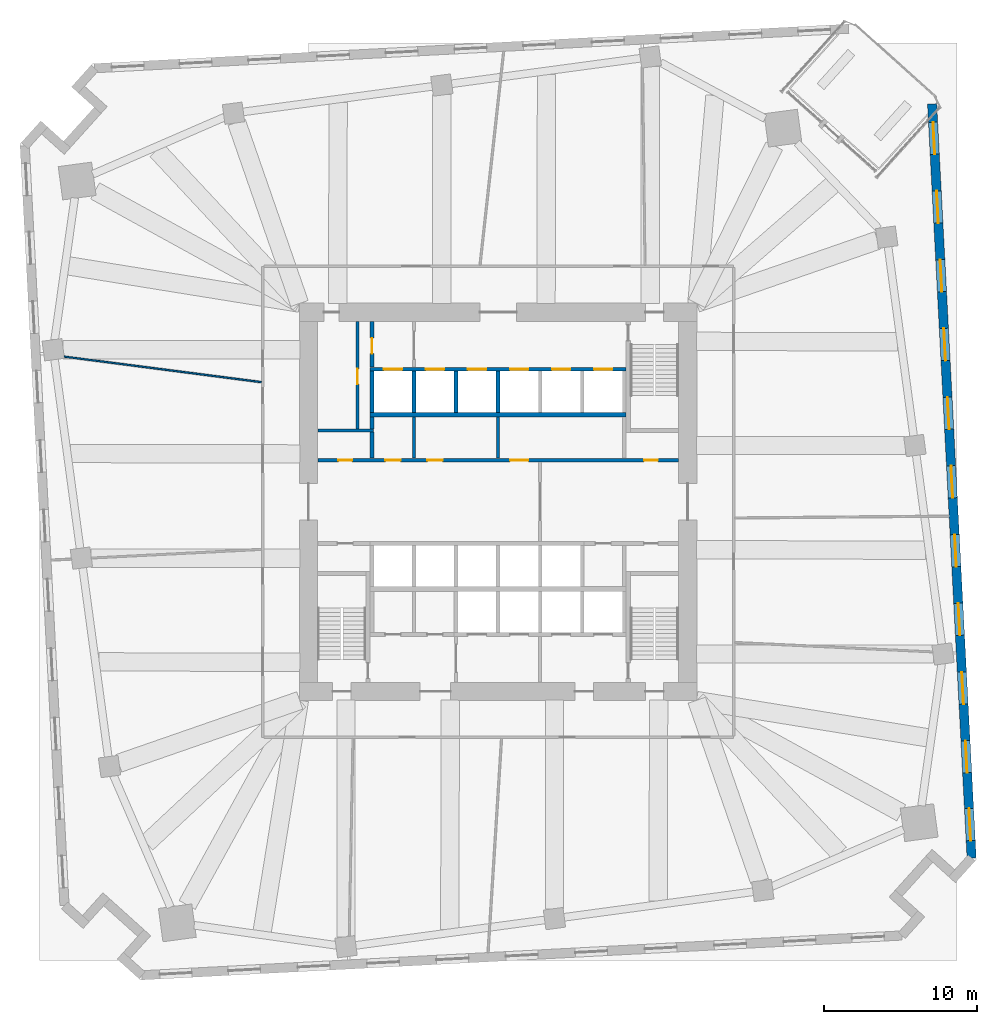
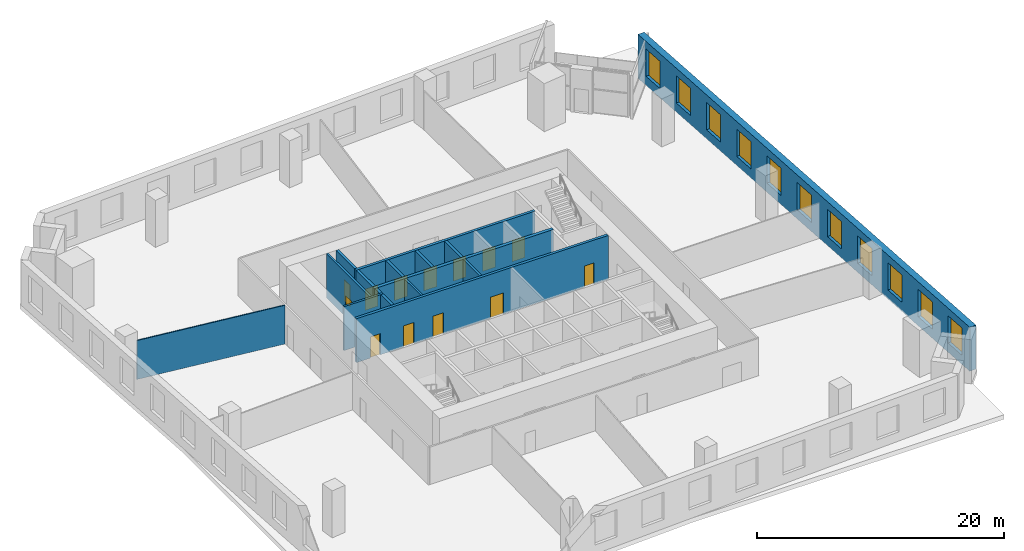
# One storey, part 6 of 10: 16 walls, 13 doors, 11 windows, 24 openings.
"""IFC4 building model written with IfcOpenShell, lengths in metres."""

from ifc_helpers import new_model, si_unit, direction, frame, frame_2d, origin, place, context, subcontext, project, spatial, rectangle, extrude, material, layer, layer_set, type_object, element, fill, save


model = new_model("IFC4")

# Units and contexts
model_context = context("Model", 3, precision=1e-05, world=origin(), true_north=direction((0.0, 1.0)))
body_context = subcontext(model_context, "Body", "Model", "MODEL_VIEW")
ifc_project = project(units=[si_unit("LENGTHUNIT", "METRE"), si_unit("AREAUNIT", "SQUARE_METRE"), si_unit("VOLUMEUNIT", "CUBIC_METRE"), si_unit("PLANEANGLEUNIT", "RADIAN"), si_unit("MASSUNIT", "GRAM", prefix="KILO")], contexts=[model_context])

# Site, building, storey
site_placement = place(None, origin())
site = spatial("IfcSite", under=ifc_project, at=site_placement, CompositionType="ELEMENT")
building_placement = place(site_placement, origin())
building = spatial("IfcBuilding", under=site, at=building_placement, Name="Dilmun Exchange Tower", CompositionType="ELEMENT")
storey_placement = place(building_placement, frame((0.0, 0.0, 22.5)))
storey = spatial("IfcBuildingStorey", under=building, at=storey_placement, Name="L05", CompositionType="ELEMENT", Elevation=22.5)

# Walls
ifc_material_1 = material(Name="Concrete C40/50", Category="concrete")
ifc_layer_1 = layer(ifc_material_1, 0.199951171875)
ifc_layer_set_1 = layer_set([ifc_layer_1], Name="Concrete C40/50")
wall_type_1 = type_object("IfcWallType", Name="Core partition wall 200", PredefinedType="PARTITIONING", material=ifc_layer_set_1)
for number, where, z_axis, x_axis, name in (
    (1, (-5.5, 2.85498046875, 0.0), (0.0, 0.0, 1.0), (0.0, 1.0, 0.0), "L05 core partition wall 12"),
    (2, (0.0, 2.85498046875, 0.0), (0.0, 0.0, 1.0), (0.0, 1.0, 0.0), "L05 core partition wall 13"),
):
    element("IfcWall", number, at=place(storey_placement, frame(where, z_axis=z_axis, x_axis=x_axis)), inside=storey, type_object=wall_type_1, Name=name, PredefinedType="PARTITIONING", context=body_context, shape_type="SweptSolid", body=[
        extrude(rectangle(XDim=2.68994140625, YDim=0.199951171875, at=frame_2d((1.344970703125, 0.0))), origin(), (0.0, 0.0, 1.0), 4.35009765625),
    ])
wall_1_placement = place(storey_placement, frame((-11.794921875, 4.675048828125, 0.0), z_axis=(0.0, 0.0, 1.0), x_axis=(1.0, 0.0, 0.0)))
element("IfcWall", 3, at=wall_1_placement, inside=storey, type_object=wall_type_1, Name="L05 core partition wall 15", PredefinedType="PARTITIONING", context=body_context, shape_type="SweptSolid", body=[
    extrude(rectangle(XDim=3.64501953125, YDim=0.199951171875, at=frame_2d((1.822509765625, 0.0))), origin(), (0.0, 0.0, 1.0), 4.35009765625),
])

# Wall, opening, door
wall_2_placement = place(storey_placement, frame((-9.199951171875, 4.780029296875, 0.0), z_axis=(0.0, 0.0, 1.0), x_axis=(0.0, 1.0, 0.0)))
wall_2 = element("IfcWall", 4, at=wall_2_placement, inside=storey, type_object=wall_type_1, Name="L05 core partition wall 16", PredefinedType="PARTITIONING", context=body_context, shape_type="SweptSolid", body=[
    extrude(rectangle(XDim=7.014892578125, YDim=0.199951171875, at=frame_2d((3.50732421875, 0.0))), origin(), (0.0, 0.0, 1.0), 4.35009765625),
])
opening_1_placement = place(wall_2_placement, frame((2.919921875, 0.0, 0.0)))
opening_1 = element("IfcOpeningElement", 5, at=opening_1_placement, cuts=wall_2, Name="Opening CD4", PredefinedType="OPENING", context=body_context, shape_type="SweptSolid", body=[
    extrude(rectangle(XDim=1.0, YDim=2.10009765625, at=frame_2d((0.5, 1.050048828125))), frame((0.0, 0.10986328125, 0.0), z_axis=(0.0, -1.0, 0.0), x_axis=(1.0, 0.0, 0.0)), (0.0, 0.0, 1.0), 0.219970703125),
])
ifc_material_2 = material(Name="Fire-rated steel door set", Category="steel")
door_type_1 = type_object("IfcDoorType", Name="Core room door 1000x2100", OperationType="SINGLE_SWING_LEFT", PredefinedType="DOOR", material=ifc_material_2)
door_1_placement = place(opening_1_placement, origin())
door_1 = element("IfcDoor", 6, at=door_1_placement, inside=storey, type_object=door_type_1, Name="L05 door Fire safety store", OperationType="SINGLE_SWING_RIGHT", OverallHeight=2.10009765625, OverallWidth=1.0, PredefinedType="DOOR", context=body_context, shape_type="SweptSolid", body=[
    extrude(rectangle(XDim=1.0, YDim=2.10009765625, at=frame_2d((0.5, 1.050048828125))), frame((0.0, 0.02490234375, 0.0), z_axis=(0.0, -1.0, 0.0), x_axis=(1.0, 0.0, 0.0)), (0.0, 0.0, 1.0), 0.050048828125),
])
fill(opening_1, door_1)

# Wall, openings, doors
ifc_layer_2 = layer(ifc_material_1, 0.25)
ifc_layer_set_2 = layer_set([ifc_layer_2], Name="Concrete C40/50")
wall_type_2 = type_object("IfcWallType", Name="Core partition wall 250", PredefinedType="PARTITIONING", material=ifc_layer_set_2)
wall_3_placement = place(storey_placement, frame((-11.794921875, 2.72509765625, 0.0), z_axis=(0.0, 0.0, 1.0), x_axis=(1.0, 0.0, 0.0)))
wall_3 = element("IfcWall", 7, at=wall_3_placement, inside=storey, type_object=wall_type_2, Name="L05 core partition wall 10", PredefinedType="PARTITIONING", context=body_context, shape_type="SweptSolid", body=[
    extrude(rectangle(XDim=23.58984375, YDim=0.25, at=frame_2d((11.794921875, 0.0))), origin(), (0.0, 0.0, 1.0), 4.35009765625),
])
opening_2_placement = place(wall_3_placement, frame((21.344970703125, 0.0, 0.0)))
opening_2 = element("IfcOpeningElement", 8, at=opening_2_placement, cuts=wall_3, Name="Opening CD6", PredefinedType="OPENING", context=body_context, shape_type="SweptSolid", body=[
    extrude(rectangle(XDim=0.89990234375, YDim=2.10009765625, at=frame_2d((0.449951171875, 1.050048828125))), frame((0.0, 0.135009765625, 0.0), z_axis=(0.0, -1.0, 0.0), x_axis=(1.0, 0.0, 0.0)), (0.0, 0.0, 1.0), 0.27001953125),
])
opening_3_placement = place(wall_3_placement, frame((1.344970703125, 0.0, 0.0)))
opening_3 = element("IfcOpeningElement", 9, at=opening_3_placement, cuts=wall_3, Name="Opening CD6", PredefinedType="OPENING", context=body_context, shape_type="SweptSolid", body=[
    extrude(rectangle(XDim=0.89990234375, YDim=2.10009765625, at=frame_2d((0.449951171875, 1.050048828125))), frame((0.0, 0.135009765625, 0.0), z_axis=(0.0, -1.0, 0.0), x_axis=(1.0, 0.0, 0.0)), (0.0, 0.0, 1.0), 0.27001953125),
])
opening_4_placement = place(wall_3_placement, frame((4.419921875, 0.0, 0.0)))
opening_4 = element("IfcOpeningElement", 10, at=opening_4_placement, cuts=wall_3, Name="Opening CD4", PredefinedType="OPENING", context=body_context, shape_type="SweptSolid", body=[
    extrude(rectangle(XDim=1.0, YDim=2.10009765625, at=frame_2d((0.5, 1.050048828125))), frame((0.0, 0.135009765625, 0.0), z_axis=(0.0, -1.0, 0.0), x_axis=(1.0, 0.0, 0.0)), (0.0, 0.0, 1.0), 0.27001953125),
])
opening_5_placement = place(wall_3_placement, frame((7.169921875, 0.0, 0.0)))
opening_5 = element("IfcOpeningElement", 11, at=opening_5_placement, cuts=wall_3, Name="Opening CD4", PredefinedType="OPENING", context=body_context, shape_type="SweptSolid", body=[
    extrude(rectangle(XDim=1.0, YDim=2.10009765625, at=frame_2d((0.5, 1.050048828125))), frame((0.0, 0.135009765625, 0.0), z_axis=(0.0, -1.0, 0.0), x_axis=(1.0, 0.0, 0.0)), (0.0, 0.0, 1.0), 0.27001953125),
])
opening_6_placement = place(wall_3_placement, frame((12.570068359375, 0.0, 0.0)))
opening_6 = element("IfcOpeningElement", 12, at=opening_6_placement, cuts=wall_3, Name="Opening CD3", PredefinedType="OPENING", context=body_context, shape_type="SweptSolid", body=[
    extrude(rectangle(XDim=1.199951171875, YDim=2.10009765625, at=frame_2d((0.60009765625, 1.050048828125))), frame((0.0, 0.135009765625, 0.0), z_axis=(0.0, -1.0, 0.0), x_axis=(1.0, 0.0, 0.0)), (0.0, 0.0, 1.0), 0.27001953125),
])
door_2_placement = place(opening_4_placement, origin())
door_2 = element("IfcDoor", 13, at=door_2_placement, inside=storey, type_object=door_type_1, Name="L05 door Electrical room", OperationType="SINGLE_SWING_RIGHT", OverallHeight=2.10009765625, OverallWidth=1.0, PredefinedType="DOOR", context=body_context, shape_type="SweptSolid", body=[
    extrude(rectangle(XDim=1.0, YDim=2.10009765625, at=frame_2d((0.5, 1.050048828125))), frame((0.0, 0.02490234375, 0.0), z_axis=(0.0, -1.0, 0.0), x_axis=(1.0, 0.0, 0.0)), (0.0, 0.0, 1.0), 0.050048828125),
])
fill(opening_4, door_2)
door_3_placement = place(opening_5_placement, origin())
door_3 = element("IfcDoor", 14, at=door_3_placement, inside=storey, type_object=door_type_1, Name="L05 door Switch room", OperationType="SINGLE_SWING_RIGHT", OverallHeight=2.10009765625, OverallWidth=1.0, PredefinedType="DOOR", context=body_context, shape_type="SweptSolid", body=[
    extrude(rectangle(XDim=1.0, YDim=2.10009765625, at=frame_2d((0.5, 1.050048828125))), frame((0.0, 0.02490234375, 0.0), z_axis=(0.0, -1.0, 0.0), x_axis=(1.0, 0.0, 0.0)), (0.0, 0.0, 1.0), 0.050048828125),
])
fill(opening_5, door_3)
door_type_2 = type_object("IfcDoorType", Name="Core room door 900x2100", OperationType="SINGLE_SWING_LEFT", PredefinedType="DOOR", material=ifc_material_2)
door_4_placement = place(opening_2_placement, origin())
door_4 = element("IfcDoor", 15, at=door_4_placement, inside=storey, type_object=door_type_2, Name="L05 door Electrical riser", OperationType="SINGLE_SWING_RIGHT", OverallHeight=2.10009765625, OverallWidth=0.89990234375, PredefinedType="DOOR", context=body_context, shape_type="SweptSolid", body=[
    extrude(rectangle(XDim=0.89990234375, YDim=2.10009765625, at=frame_2d((0.449951171875, 1.050048828125))), frame((0.0, 0.02490234375, 0.0), z_axis=(0.0, -1.0, 0.0), x_axis=(1.0, 0.0, 0.0)), (0.0, 0.0, 1.0), 0.050048828125),
])
fill(opening_2, door_4)
door_5_placement = place(opening_3_placement, origin())
door_5 = element("IfcDoor", 16, at=door_5_placement, inside=storey, type_object=door_type_2, Name="L05 door Plumbing riser", OperationType="SINGLE_SWING_RIGHT", OverallHeight=2.10009765625, OverallWidth=0.89990234375, PredefinedType="DOOR", context=body_context, shape_type="SweptSolid", body=[
    extrude(rectangle(XDim=0.89990234375, YDim=2.10009765625, at=frame_2d((0.449951171875, 1.050048828125))), frame((0.0, 0.02490234375, 0.0), z_axis=(0.0, -1.0, 0.0), x_axis=(1.0, 0.0, 0.0)), (0.0, 0.0, 1.0), 0.050048828125),
])
fill(opening_3, door_5)
door_type_3 = type_object("IfcDoorType", Name="Stair exit door 1200x2100", OperationType="SINGLE_SWING_LEFT", PredefinedType="DOOR", material=ifc_material_2)
door_6_placement = place(opening_6_placement, origin())
door_6 = element("IfcDoor", 17, at=door_6_placement, inside=storey, type_object=door_type_3, Name="L05 door Quiet working room", OperationType="SINGLE_SWING_LEFT", OverallHeight=2.10009765625, OverallWidth=1.199951171875, PredefinedType="DOOR", context=body_context, shape_type="SweptSolid", body=[
    extrude(rectangle(XDim=1.199951171875, YDim=2.10009765625, at=frame_2d((0.60009765625, 1.050048828125))), frame((0.0, 0.02490234375, 0.0), z_axis=(0.0, -1.0, 0.0), x_axis=(1.0, 0.0, 0.0)), (0.0, 0.0, 1.0), 0.050048828125),
])
fill(opening_6, door_6)

# Walls
wall_4_placement = place(storey_placement, frame((-8.25, 2.85498046875, 0.0), z_axis=(0.0, 0.0, 1.0), x_axis=(0.0, 1.0, 0.0)))
element("IfcWall", 18, at=wall_4_placement, inside=storey, type_object=wall_type_2, Name="L05 core partition wall 11", PredefinedType="PARTITIONING", context=body_context, shape_type="SweptSolid", body=[
    extrude(rectangle(XDim=1.715087890625, YDim=0.25, at=frame_2d((0.857421875, 0.0))), origin(), (0.0, 0.0, 1.0), 4.35009765625),
])
wall_5_placement = place(storey_placement, frame((-8.25, 4.780029296875, 0.0), z_axis=(0.0, 0.0, 1.0), x_axis=(0.0, 1.0, 0.0)))
element("IfcWall", 19, at=wall_5_placement, inside=storey, type_object=wall_type_2, Name="L05 core partition wall 17", PredefinedType="PARTITIONING", context=body_context, shape_type="SweptSolid", body=[
    extrude(rectangle(XDim=0.764892578125, YDim=0.25, at=frame_2d((0.38232421875, 0.0))), origin(), (0.0, 0.0, 1.0), 4.35009765625),
])

# Wall, opening, door
wall_6_placement = place(storey_placement, frame((-8.25, 8.804931640625, 0.0), z_axis=(0.0, 0.0, 1.0), x_axis=(0.0, 1.0, 0.0)))
wall_6 = element("IfcWall", 20, at=wall_6_placement, inside=storey, type_object=wall_type_2, Name="L05 core partition wall 18", PredefinedType="PARTITIONING", context=body_context, shape_type="SweptSolid", body=[
    extrude(rectangle(XDim=2.989990234375, YDim=0.25, at=frame_2d((1.4951171875, 0.0))), origin(), (0.0, 0.0, 1.0), 4.35009765625),
])
opening_7_placement = place(wall_6_placement, frame((0.89501953125, 0.0, 0.0)))
opening_7 = element("IfcOpeningElement", 21, at=opening_7_placement, cuts=wall_6, Name="Opening CD4", PredefinedType="OPENING", context=body_context, shape_type="SweptSolid", body=[
    extrude(rectangle(XDim=1.0, YDim=2.10009765625, at=frame_2d((0.5, 1.050048828125))), frame((0.0, 0.135009765625, 0.0), z_axis=(0.0, -1.0, 0.0), x_axis=(1.0, 0.0, 0.0)), (0.0, 0.0, 1.0), 0.27001953125),
])
door_7_placement = place(opening_7_placement, origin())
door_7 = element("IfcDoor", 22, at=door_7_placement, inside=storey, type_object=door_type_1, Name="L05 door Tenant services room", OperationType="SINGLE_SWING_RIGHT", OverallHeight=2.10009765625, OverallWidth=1.0, PredefinedType="DOOR", context=body_context, shape_type="SweptSolid", body=[
    extrude(rectangle(XDim=1.0, YDim=2.10009765625, at=frame_2d((0.5, 1.050048828125))), frame((0.0, 0.02490234375, 0.0), z_axis=(0.0, -1.0, 0.0), x_axis=(1.0, 0.0, 0.0)), (0.0, 0.0, 1.0), 0.050048828125),
])
fill(opening_7, door_7)

# Wall
ifc_layer_3 = layer(ifc_material_1, 0.300048828125)
ifc_layer_set_3 = layer_set([ifc_layer_3], Name="Concrete C40/50")
wall_type_3 = type_object("IfcWallType", Name="Lift shaft shared wall 300", PredefinedType="SOLIDWALL", material=ifc_layer_set_3)
wall_7_placement = place(storey_placement, frame((-8.375, 5.699951171875, 0.0), z_axis=(0.0, 0.0, 1.0), x_axis=(1.0, 0.0, 0.0)))
element("IfcWall", 23, at=wall_7_placement, inside=storey, type_object=wall_type_3, Name="L05 lift shaft rear wall N", PredefinedType="SOLIDWALL", context=body_context, shape_type="SweptSolid", body=[
    extrude(rectangle(XDim=16.75, YDim=0.300048828125, at=frame_2d((8.375, 0.0))), origin(), (0.0, 0.0, 1.0), 4.35009765625),
])

# Wall, openings, doors
ifc_layer_4 = layer(ifc_material_1, 0.25)
ifc_layer_set_4 = layer_set([ifc_layer_4], Name="Concrete C40/50")
wall_type_4 = type_object("IfcWallType", Name="Lift shaft wall 250", PredefinedType="SOLIDWALL", material=ifc_layer_set_4)
wall_8_placement = place(storey_placement, frame((-8.375, 8.675048828125, 0.0), z_axis=(0.0, 0.0, 1.0), x_axis=(1.0, 0.0, 0.0)))
wall_8 = element("IfcWall", 24, at=wall_8_placement, inside=storey, type_object=wall_type_4, Name="L05 lift shaft front wall N2", PredefinedType="SOLIDWALL", context=body_context, shape_type="SweptSolid", body=[
    extrude(rectangle(XDim=16.75, YDim=0.25, at=frame_2d((8.375, 0.0))), origin(), (0.0, 0.0, 1.0), 4.35009765625),
])
opening_8_placement = place(wall_8_placement, frame((0.89990234375, 0.0, 0.0)))
opening_8 = element("IfcOpeningElement", 25, at=opening_8_placement, cuts=wall_8, Name="Opening LD", PredefinedType="OPENING", context=body_context, shape_type="SweptSolid", body=[
    extrude(rectangle(XDim=1.199951171875, YDim=2.10009765625, at=frame_2d((0.60009765625, 1.050048828125))), frame((0.0, 0.135009765625, 0.0), z_axis=(0.0, -1.0, 0.0), x_axis=(1.0, 0.0, 0.0)), (0.0, 0.0, 1.0), 0.27001953125),
])
opening_9_placement = place(wall_8_placement, frame((3.64990234375, 0.0, 0.0)))
opening_9 = element("IfcOpeningElement", 26, at=opening_9_placement, cuts=wall_8, Name="Opening LD", PredefinedType="OPENING", context=body_context, shape_type="SweptSolid", body=[
    extrude(rectangle(XDim=1.199951171875, YDim=2.10009765625, at=frame_2d((0.60009765625, 1.050048828125))), frame((0.0, 0.135009765625, 0.0), z_axis=(0.0, -1.0, 0.0), x_axis=(1.0, 0.0, 0.0)), (0.0, 0.0, 1.0), 0.27001953125),
])
opening_10_placement = place(wall_8_placement, frame((6.39990234375, 0.0, 0.0)))
opening_10 = element("IfcOpeningElement", 27, at=opening_10_placement, cuts=wall_8, Name="Opening LD", PredefinedType="OPENING", context=body_context, shape_type="SweptSolid", body=[
    extrude(rectangle(XDim=1.199951171875, YDim=2.10009765625, at=frame_2d((0.60009765625, 1.050048828125))), frame((0.0, 0.135009765625, 0.0), z_axis=(0.0, -1.0, 0.0), x_axis=(1.0, 0.0, 0.0)), (0.0, 0.0, 1.0), 0.27001953125),
])
opening_11_placement = place(wall_8_placement, frame((9.14990234375, 0.0, 0.0)))
opening_11 = element("IfcOpeningElement", 28, at=opening_11_placement, cuts=wall_8, Name="Opening LD", PredefinedType="OPENING", context=body_context, shape_type="SweptSolid", body=[
    extrude(rectangle(XDim=1.199951171875, YDim=2.10009765625, at=frame_2d((0.60009765625, 1.050048828125))), frame((0.0, 0.135009765625, 0.0), z_axis=(0.0, -1.0, 0.0), x_axis=(1.0, 0.0, 0.0)), (0.0, 0.0, 1.0), 0.27001953125),
])
opening_12_placement = place(wall_8_placement, frame((11.89990234375, 0.0, 0.0)))
opening_12 = element("IfcOpeningElement", 29, at=opening_12_placement, cuts=wall_8, Name="Opening LD", PredefinedType="OPENING", context=body_context, shape_type="SweptSolid", body=[
    extrude(rectangle(XDim=1.199951171875, YDim=2.10009765625, at=frame_2d((0.60009765625, 1.050048828125))), frame((0.0, 0.135009765625, 0.0), z_axis=(0.0, -1.0, 0.0), x_axis=(1.0, 0.0, 0.0)), (0.0, 0.0, 1.0), 0.27001953125),
])
opening_13_placement = place(wall_8_placement, frame((14.64990234375, 0.0, 0.0)))
opening_13 = element("IfcOpeningElement", 30, at=opening_13_placement, cuts=wall_8, Name="Opening LD", PredefinedType="OPENING", context=body_context, shape_type="SweptSolid", body=[
    extrude(rectangle(XDim=1.199951171875, YDim=2.10009765625, at=frame_2d((0.60009765625, 1.050048828125))), frame((0.0, 0.135009765625, 0.0), z_axis=(0.0, -1.0, 0.0), x_axis=(1.0, 0.0, 0.0)), (0.0, 0.0, 1.0), 0.27001953125),
])
door_type_4 = type_object("IfcDoorType", Name="Lift landing door 1200x2100", OperationType="DOUBLE_DOOR_SLIDING", PredefinedType="DOOR", material=ifc_material_2)
door_8_placement = place(opening_8_placement, origin())
door_8 = element("IfcDoor", 31, at=door_8_placement, inside=storey, type_object=door_type_4, Name="L05 landing door LR1", OperationType="DOUBLE_DOOR_SLIDING", OverallHeight=2.10009765625, OverallWidth=1.199951171875, PredefinedType="DOOR", context=body_context, shape_type="SweptSolid", body=[
    extrude(rectangle(XDim=1.199951171875, YDim=2.10009765625, at=frame_2d((0.60009765625, 1.050048828125))), frame((0.0, 0.02490234375, 0.0), z_axis=(0.0, -1.0, 0.0), x_axis=(1.0, 0.0, 0.0)), (0.0, 0.0, 1.0), 0.050048828125),
])
fill(opening_8, door_8)
door_9_placement = place(opening_9_placement, origin())
door_9 = element("IfcDoor", 32, at=door_9_placement, inside=storey, type_object=door_type_4, Name="L05 landing door LR2", OperationType="DOUBLE_DOOR_SLIDING", OverallHeight=2.10009765625, OverallWidth=1.199951171875, PredefinedType="DOOR", context=body_context, shape_type="SweptSolid", body=[
    extrude(rectangle(XDim=1.199951171875, YDim=2.10009765625, at=frame_2d((0.60009765625, 1.050048828125))), frame((0.0, 0.02490234375, 0.0), z_axis=(0.0, -1.0, 0.0), x_axis=(1.0, 0.0, 0.0)), (0.0, 0.0, 1.0), 0.050048828125),
])
fill(opening_9, door_9)
door_10_placement = place(opening_10_placement, origin())
door_10 = element("IfcDoor", 33, at=door_10_placement, inside=storey, type_object=door_type_4, Name="L05 landing door LR3", OperationType="DOUBLE_DOOR_SLIDING", OverallHeight=2.10009765625, OverallWidth=1.199951171875, PredefinedType="DOOR", context=body_context, shape_type="SweptSolid", body=[
    extrude(rectangle(XDim=1.199951171875, YDim=2.10009765625, at=frame_2d((0.60009765625, 1.050048828125))), frame((0.0, 0.02490234375, 0.0), z_axis=(0.0, -1.0, 0.0), x_axis=(1.0, 0.0, 0.0)), (0.0, 0.0, 1.0), 0.050048828125),
])
fill(opening_10, door_10)
door_11_placement = place(opening_11_placement, origin())
door_11 = element("IfcDoor", 34, at=door_11_placement, inside=storey, type_object=door_type_4, Name="L05 landing door LR4", OperationType="DOUBLE_DOOR_SLIDING", OverallHeight=2.10009765625, OverallWidth=1.199951171875, PredefinedType="DOOR", context=body_context, shape_type="SweptSolid", body=[
    extrude(rectangle(XDim=1.199951171875, YDim=2.10009765625, at=frame_2d((0.60009765625, 1.050048828125))), frame((0.0, 0.02490234375, 0.0), z_axis=(0.0, -1.0, 0.0), x_axis=(1.0, 0.0, 0.0)), (0.0, 0.0, 1.0), 0.050048828125),
])
fill(opening_11, door_11)
door_12_placement = place(opening_12_placement, origin())
door_12 = element("IfcDoor", 35, at=door_12_placement, inside=storey, type_object=door_type_4, Name="L05 landing door LR5", OperationType="DOUBLE_DOOR_SLIDING", OverallHeight=2.10009765625, OverallWidth=1.199951171875, PredefinedType="DOOR", context=body_context, shape_type="SweptSolid", body=[
    extrude(rectangle(XDim=1.199951171875, YDim=2.10009765625, at=frame_2d((0.60009765625, 1.050048828125))), frame((0.0, 0.02490234375, 0.0), z_axis=(0.0, -1.0, 0.0), x_axis=(1.0, 0.0, 0.0)), (0.0, 0.0, 1.0), 0.050048828125),
])
fill(opening_12, door_12)
door_13_placement = place(opening_13_placement, origin())
door_13 = element("IfcDoor", 36, at=door_13_placement, inside=storey, type_object=door_type_4, Name="L05 landing door LR6", OperationType="DOUBLE_DOOR_SLIDING", OverallHeight=2.10009765625, OverallWidth=1.199951171875, PredefinedType="DOOR", context=body_context, shape_type="SweptSolid", body=[
    extrude(rectangle(XDim=1.199951171875, YDim=2.10009765625, at=frame_2d((0.60009765625, 1.050048828125))), frame((0.0, 0.02490234375, 0.0), z_axis=(0.0, -1.0, 0.0), x_axis=(1.0, 0.0, 0.0)), (0.0, 0.0, 1.0), 0.050048828125),
])
fill(opening_13, door_13)

# Walls
for number, where, z_axis, x_axis, name in (
    (37, (-8.25, 5.85009765625, 0.0), (0.0, 0.0, 1.0), (0.0, 1.0, 0.0), "L05 lift shaft divider N20"),
    (38, (-5.5, 5.85009765625, 0.0), (0.0, 0.0, 1.0), (0.0, 1.0, 0.0), "L05 lift shaft divider N21"),
    (39, (-2.75, 5.85009765625, 0.0), (0.0, 0.0, 1.0), (0.0, 1.0, 0.0), "L05 lift shaft divider N22"),
    (40, (0.0, 5.85009765625, 0.0), (0.0, 0.0, 1.0), (0.0, 1.0, 0.0), "L05 lift shaft divider N23"),
):
    element("IfcWall", number, at=place(storey_placement, frame(where, z_axis=z_axis, x_axis=x_axis)), inside=storey, type_object=wall_type_4, Name=name, PredefinedType="SOLIDWALL", context=body_context, shape_type="SweptSolid", body=[
        extrude(rectangle(XDim=2.699951171875, YDim=0.25, at=frame_2d((1.35009765625, 0.0))), origin(), (0.0, 0.0, 1.0), 4.35009765625),
    ])
ifc_material_3 = material(Name="Partition 100")
ifc_layer_5 = layer(ifc_material_3, 0.10009765625)
ifc_layer_set_5 = layer_set([ifc_layer_5], Name="Partition 100")
wall_type_5 = type_object("IfcWallType", Name="Partition 100", PredefinedType="PARTITIONING", material=ifc_layer_set_5)
wall_9_placement = place(storey_placement, frame((-28.376708984375, 9.496826171875, 0.0), z_axis=(0.0, 0.0, 1.0), x_axis=(0.991714249214, -0.128463410764, 0.0)))
element("IfcWall", 41, at=wall_9_placement, inside=storey, type_object=wall_type_5, Name="Partition", PredefinedType="PARTITIONING", context=body_context, shape_type="SweptSolid", body=[
    extrude(rectangle(XDim=13.0029296875, YDim=0.10009765625, at=frame_2d((6.50146484375, 0.0))), origin(), (0.0, 0.0, 1.0), 3.85009765625),
])

# Wall, openings, windows
ifc_material_4 = material(Name="Precast concrete C50/60", Category="concrete")
ifc_layer_6 = layer(ifc_material_4, 0.60009765625)
ifc_layer_set_6 = layer_set([ifc_layer_6], Name="Precast concrete C50/60")
wall_type_6 = type_object("IfcWallType", Name="Precast stone-clad wall 600", PredefinedType="STANDARD", material=ifc_layer_set_6)
wall_10_placement = place(storey_placement, frame((30.961181640625, -23.287353515625, 0.0), z_axis=(0.0, 0.0, 1.0), x_axis=(-0.052333049168, 0.998629687104, 0.0)))
wall_10 = element("IfcWall", 42, at=wall_10_placement, inside=storey, type_object=wall_type_6, Name="Facade wall L05-21", PredefinedType="STANDARD", context=body_context, shape_type="SweptSolid", body=[
    extrude(rectangle(XDim=49.375732421875, YDim=0.60009765625, at=frame_2d((24.68798828125, 0.0))), origin(), (0.0, 0.0, 1.0), 4.35009765625),
])
opening_14_placement = place(wall_10_placement, frame((1.137939453125, 0.0, 0.89990234375)))
opening_14 = element("IfcOpeningElement", 43, at=opening_14_placement, cuts=wall_10, Name="Opening W210-270", PredefinedType="OPENING", context=body_context, shape_type="SweptSolid", body=[
    extrude(rectangle(XDim=2.10009765625, YDim=2.699951171875, at=frame_2d((1.050048828125, 1.35009765625))), frame((0.0, 0.31005859375, 0.0), z_axis=(0.0, -1.0, 0.0), x_axis=(1.0, 0.0, 0.0)), (0.0, 0.0, 1.0), 0.6201171875),
])
opening_15_placement = place(wall_10_placement, frame((5.57568359375, 0.0, 0.89990234375)))
opening_15 = element("IfcOpeningElement", 44, at=opening_15_placement, cuts=wall_10, Name="Opening W210-270", PredefinedType="OPENING", context=body_context, shape_type="SweptSolid", body=[
    extrude(rectangle(XDim=2.10009765625, YDim=2.699951171875, at=frame_2d((1.050048828125, 1.35009765625))), frame((0.0, 0.31005859375, 0.0), z_axis=(0.0, -1.0, 0.0), x_axis=(1.0, 0.0, 0.0)), (0.0, 0.0, 1.0), 0.6201171875),
])
opening_16_placement = place(wall_10_placement, frame((10.07568359375, 0.0, 0.89990234375)))
opening_16 = element("IfcOpeningElement", 45, at=opening_16_placement, cuts=wall_10, Name="Opening W210-270", PredefinedType="OPENING", context=body_context, shape_type="SweptSolid", body=[
    extrude(rectangle(XDim=2.10009765625, YDim=2.699951171875, at=frame_2d((1.050048828125, 1.35009765625))), frame((0.0, 0.31005859375, 0.0), z_axis=(0.0, -1.0, 0.0), x_axis=(1.0, 0.0, 0.0)), (0.0, 0.0, 1.0), 0.6201171875),
])
opening_17_placement = place(wall_10_placement, frame((14.57568359375, 0.0, 0.89990234375)))
opening_17 = element("IfcOpeningElement", 46, at=opening_17_placement, cuts=wall_10, Name="Opening W210-270", PredefinedType="OPENING", context=body_context, shape_type="SweptSolid", body=[
    extrude(rectangle(XDim=2.10009765625, YDim=2.699951171875, at=frame_2d((1.050048828125, 1.35009765625))), frame((0.0, 0.31005859375, 0.0), z_axis=(0.0, -1.0, 0.0), x_axis=(1.0, 0.0, 0.0)), (0.0, 0.0, 1.0), 0.6201171875),
])
opening_18_placement = place(wall_10_placement, frame((19.07568359375, 0.0, 0.89990234375)))
opening_18 = element("IfcOpeningElement", 47, at=opening_18_placement, cuts=wall_10, Name="Opening W210-270", PredefinedType="OPENING", context=body_context, shape_type="SweptSolid", body=[
    extrude(rectangle(XDim=2.10009765625, YDim=2.699951171875, at=frame_2d((1.050048828125, 1.35009765625))), frame((0.0, 0.31005859375, 0.0), z_axis=(0.0, -1.0, 0.0), x_axis=(1.0, 0.0, 0.0)), (0.0, 0.0, 1.0), 0.6201171875),
])
opening_19_placement = place(wall_10_placement, frame((23.57568359375, 0.0, 0.89990234375)))
opening_19 = element("IfcOpeningElement", 48, at=opening_19_placement, cuts=wall_10, Name="Opening W210-270", PredefinedType="OPENING", context=body_context, shape_type="SweptSolid", body=[
    extrude(rectangle(XDim=2.10009765625, YDim=2.699951171875, at=frame_2d((1.050048828125, 1.35009765625))), frame((0.0, 0.31005859375, 0.0), z_axis=(0.0, -1.0, 0.0), x_axis=(1.0, 0.0, 0.0)), (0.0, 0.0, 1.0), 0.6201171875),
])
opening_20_placement = place(wall_10_placement, frame((28.07568359375, 0.0, 0.89990234375)))
opening_20 = element("IfcOpeningElement", 49, at=opening_20_placement, cuts=wall_10, Name="Opening W210-270", PredefinedType="OPENING", context=body_context, shape_type="SweptSolid", body=[
    extrude(rectangle(XDim=2.10009765625, YDim=2.699951171875, at=frame_2d((1.050048828125, 1.35009765625))), frame((0.0, 0.31005859375, 0.0), z_axis=(0.0, -1.0, 0.0), x_axis=(1.0, 0.0, 0.0)), (0.0, 0.0, 1.0), 0.6201171875),
])
opening_21_placement = place(wall_10_placement, frame((32.57568359375, 0.0, 0.89990234375)))
opening_21 = element("IfcOpeningElement", 50, at=opening_21_placement, cuts=wall_10, Name="Opening W210-270", PredefinedType="OPENING", context=body_context, shape_type="SweptSolid", body=[
    extrude(rectangle(XDim=2.10009765625, YDim=2.699951171875, at=frame_2d((1.050048828125, 1.35009765625))), frame((0.0, 0.31005859375, 0.0), z_axis=(0.0, -1.0, 0.0), x_axis=(1.0, 0.0, 0.0)), (0.0, 0.0, 1.0), 0.6201171875),
])
opening_22_placement = place(wall_10_placement, frame((37.07568359375, 0.0, 0.89990234375)))
opening_22 = element("IfcOpeningElement", 51, at=opening_22_placement, cuts=wall_10, Name="Opening W210-270", PredefinedType="OPENING", context=body_context, shape_type="SweptSolid", body=[
    extrude(rectangle(XDim=2.10009765625, YDim=2.699951171875, at=frame_2d((1.050048828125, 1.35009765625))), frame((0.0, 0.31005859375, 0.0), z_axis=(0.0, -1.0, 0.0), x_axis=(1.0, 0.0, 0.0)), (0.0, 0.0, 1.0), 0.6201171875),
])
opening_23_placement = place(wall_10_placement, frame((41.57568359375, 0.0, 0.89990234375)))
opening_23 = element("IfcOpeningElement", 52, at=opening_23_placement, cuts=wall_10, Name="Opening W210-270", PredefinedType="OPENING", context=body_context, shape_type="SweptSolid", body=[
    extrude(rectangle(XDim=2.10009765625, YDim=2.699951171875, at=frame_2d((1.050048828125, 1.35009765625))), frame((0.0, 0.31005859375, 0.0), z_axis=(0.0, -1.0, 0.0), x_axis=(1.0, 0.0, 0.0)), (0.0, 0.0, 1.0), 0.6201171875),
])
opening_24_placement = place(wall_10_placement, frame((46.07568359375, 0.0, 0.89990234375)))
opening_24 = element("IfcOpeningElement", 53, at=opening_24_placement, cuts=wall_10, Name="Opening W210-270", PredefinedType="OPENING", context=body_context, shape_type="SweptSolid", body=[
    extrude(rectangle(XDim=2.10009765625, YDim=2.699951171875, at=frame_2d((1.050048828125, 1.35009765625))), frame((0.0, 0.31005859375, 0.0), z_axis=(0.0, -1.0, 0.0), x_axis=(1.0, 0.0, 0.0)), (0.0, 0.0, 1.0), 0.6201171875),
])
ifc_material_5 = material(Name="Clear low-emissivity glass in aluminium frame", Category="aluminium")
window_type = type_object("IfcWindowType", Name="Punched window 2100 x 2700", PartitioningType="DOUBLE_PANEL_VERTICAL", PredefinedType="WINDOW", material=ifc_material_5)
window_1_placement = place(opening_14_placement, origin())
window_1 = element("IfcWindow", 54, at=window_1_placement, inside=storey, type_object=window_type, Name="Window 22.1", OverallHeight=2.699951171875, OverallWidth=2.10009765625, PartitioningType="SINGLE_PANEL", PredefinedType="WINDOW", context=body_context, shape_type="SweptSolid", body=[
    extrude(rectangle(XDim=2.10009765625, YDim=2.699951171875, at=frame_2d((1.050048828125, 1.35009765625))), frame((0.0, 0.030029296875, 0.0), z_axis=(0.0, -1.0, 0.0), x_axis=(1.0, 0.0, 0.0)), (0.0, 0.0, 1.0), 0.06005859375),
])
fill(opening_14, window_1)
window_2_placement = place(opening_15_placement, origin())
window_2 = element("IfcWindow", 55, at=window_2_placement, inside=storey, type_object=window_type, Name="Window 22.2", OverallHeight=2.699951171875, OverallWidth=2.10009765625, PartitioningType="SINGLE_PANEL", PredefinedType="WINDOW", context=body_context, shape_type="SweptSolid", body=[
    extrude(rectangle(XDim=2.10009765625, YDim=2.699951171875, at=frame_2d((1.050048828125, 1.35009765625))), frame((0.0, 0.030029296875, 0.0), z_axis=(0.0, -1.0, 0.0), x_axis=(1.0, 0.0, 0.0)), (0.0, 0.0, 1.0), 0.06005859375),
])
fill(opening_15, window_2)
window_3_placement = place(opening_16_placement, origin())
window_3 = element("IfcWindow", 56, at=window_3_placement, inside=storey, type_object=window_type, Name="Window 22.3", OverallHeight=2.699951171875, OverallWidth=2.10009765625, PartitioningType="SINGLE_PANEL", PredefinedType="WINDOW", context=body_context, shape_type="SweptSolid", body=[
    extrude(rectangle(XDim=2.10009765625, YDim=2.699951171875, at=frame_2d((1.050048828125, 1.35009765625))), frame((0.0, 0.030029296875, 0.0), z_axis=(0.0, -1.0, 0.0), x_axis=(1.0, 0.0, 0.0)), (0.0, 0.0, 1.0), 0.06005859375),
])
fill(opening_16, window_3)
window_4_placement = place(opening_17_placement, origin())
window_4 = element("IfcWindow", 57, at=window_4_placement, inside=storey, type_object=window_type, Name="Window 22.4", OverallHeight=2.699951171875, OverallWidth=2.10009765625, PartitioningType="SINGLE_PANEL", PredefinedType="WINDOW", context=body_context, shape_type="SweptSolid", body=[
    extrude(rectangle(XDim=2.10009765625, YDim=2.699951171875, at=frame_2d((1.050048828125, 1.35009765625))), frame((0.0, 0.030029296875, 0.0), z_axis=(0.0, -1.0, 0.0), x_axis=(1.0, 0.0, 0.0)), (0.0, 0.0, 1.0), 0.06005859375),
])
fill(opening_17, window_4)
window_5_placement = place(opening_18_placement, origin())
window_5 = element("IfcWindow", 58, at=window_5_placement, inside=storey, type_object=window_type, Name="Window 22.5", OverallHeight=2.699951171875, OverallWidth=2.10009765625, PartitioningType="SINGLE_PANEL", PredefinedType="WINDOW", context=body_context, shape_type="SweptSolid", body=[
    extrude(rectangle(XDim=2.10009765625, YDim=2.699951171875, at=frame_2d((1.050048828125, 1.35009765625))), frame((0.0, 0.030029296875, 0.0), z_axis=(0.0, -1.0, 0.0), x_axis=(1.0, 0.0, 0.0)), (0.0, 0.0, 1.0), 0.06005859375),
])
fill(opening_18, window_5)
window_6_placement = place(opening_19_placement, origin())
window_6 = element("IfcWindow", 59, at=window_6_placement, inside=storey, type_object=window_type, Name="Window 22.6", OverallHeight=2.699951171875, OverallWidth=2.10009765625, PartitioningType="SINGLE_PANEL", PredefinedType="WINDOW", context=body_context, shape_type="SweptSolid", body=[
    extrude(rectangle(XDim=2.10009765625, YDim=2.699951171875, at=frame_2d((1.050048828125, 1.35009765625))), frame((0.0, 0.030029296875, 0.0), z_axis=(0.0, -1.0, 0.0), x_axis=(1.0, 0.0, 0.0)), (0.0, 0.0, 1.0), 0.06005859375),
])
fill(opening_19, window_6)
window_7_placement = place(opening_20_placement, origin())
window_7 = element("IfcWindow", 60, at=window_7_placement, inside=storey, type_object=window_type, Name="Window 22.7", OverallHeight=2.699951171875, OverallWidth=2.10009765625, PartitioningType="SINGLE_PANEL", PredefinedType="WINDOW", context=body_context, shape_type="SweptSolid", body=[
    extrude(rectangle(XDim=2.10009765625, YDim=2.699951171875, at=frame_2d((1.050048828125, 1.35009765625))), frame((0.0, 0.030029296875, 0.0), z_axis=(0.0, -1.0, 0.0), x_axis=(1.0, 0.0, 0.0)), (0.0, 0.0, 1.0), 0.06005859375),
])
fill(opening_20, window_7)
window_8_placement = place(opening_21_placement, origin())
window_8 = element("IfcWindow", 61, at=window_8_placement, inside=storey, type_object=window_type, Name="Window 22.8", OverallHeight=2.699951171875, OverallWidth=2.10009765625, PartitioningType="SINGLE_PANEL", PredefinedType="WINDOW", context=body_context, shape_type="SweptSolid", body=[
    extrude(rectangle(XDim=2.10009765625, YDim=2.699951171875, at=frame_2d((1.050048828125, 1.35009765625))), frame((0.0, 0.030029296875, 0.0), z_axis=(0.0, -1.0, 0.0), x_axis=(1.0, 0.0, 0.0)), (0.0, 0.0, 1.0), 0.06005859375),
])
fill(opening_21, window_8)
window_9_placement = place(opening_22_placement, origin())
window_9 = element("IfcWindow", 62, at=window_9_placement, inside=storey, type_object=window_type, Name="Window 22.9", OverallHeight=2.699951171875, OverallWidth=2.10009765625, PartitioningType="SINGLE_PANEL", PredefinedType="WINDOW", context=body_context, shape_type="SweptSolid", body=[
    extrude(rectangle(XDim=2.10009765625, YDim=2.699951171875, at=frame_2d((1.050048828125, 1.35009765625))), frame((0.0, 0.030029296875, 0.0), z_axis=(0.0, -1.0, 0.0), x_axis=(1.0, 0.0, 0.0)), (0.0, 0.0, 1.0), 0.06005859375),
])
fill(opening_22, window_9)
window_10_placement = place(opening_23_placement, origin())
window_10 = element("IfcWindow", 63, at=window_10_placement, inside=storey, type_object=window_type, Name="Window 22.10", OverallHeight=2.699951171875, OverallWidth=2.10009765625, PartitioningType="SINGLE_PANEL", PredefinedType="WINDOW", context=body_context, shape_type="SweptSolid", body=[
    extrude(rectangle(XDim=2.10009765625, YDim=2.699951171875, at=frame_2d((1.050048828125, 1.35009765625))), frame((0.0, 0.030029296875, 0.0), z_axis=(0.0, -1.0, 0.0), x_axis=(1.0, 0.0, 0.0)), (0.0, 0.0, 1.0), 0.06005859375),
])
fill(opening_23, window_10)
window_11_placement = place(opening_24_placement, origin())
window_11 = element("IfcWindow", 64, at=window_11_placement, inside=storey, type_object=window_type, Name="Window 22.11", OverallHeight=2.699951171875, OverallWidth=2.10009765625, PartitioningType="SINGLE_PANEL", PredefinedType="WINDOW", context=body_context, shape_type="SweptSolid", body=[
    extrude(rectangle(XDim=2.10009765625, YDim=2.699951171875, at=frame_2d((1.050048828125, 1.35009765625))), frame((0.0, 0.030029296875, 0.0), z_axis=(0.0, -1.0, 0.0), x_axis=(1.0, 0.0, 0.0)), (0.0, 0.0, 1.0), 0.06005859375),
])
fill(opening_24, window_11)

save(model, "model.ifc")
